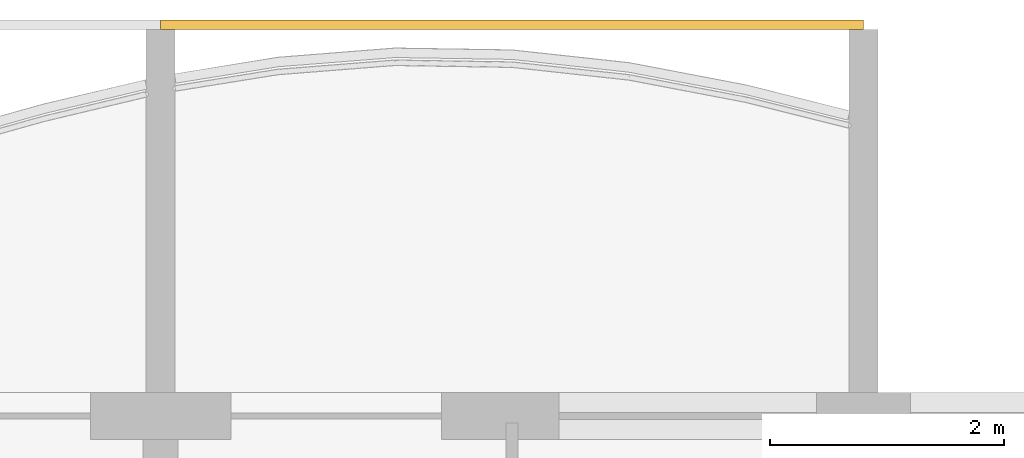
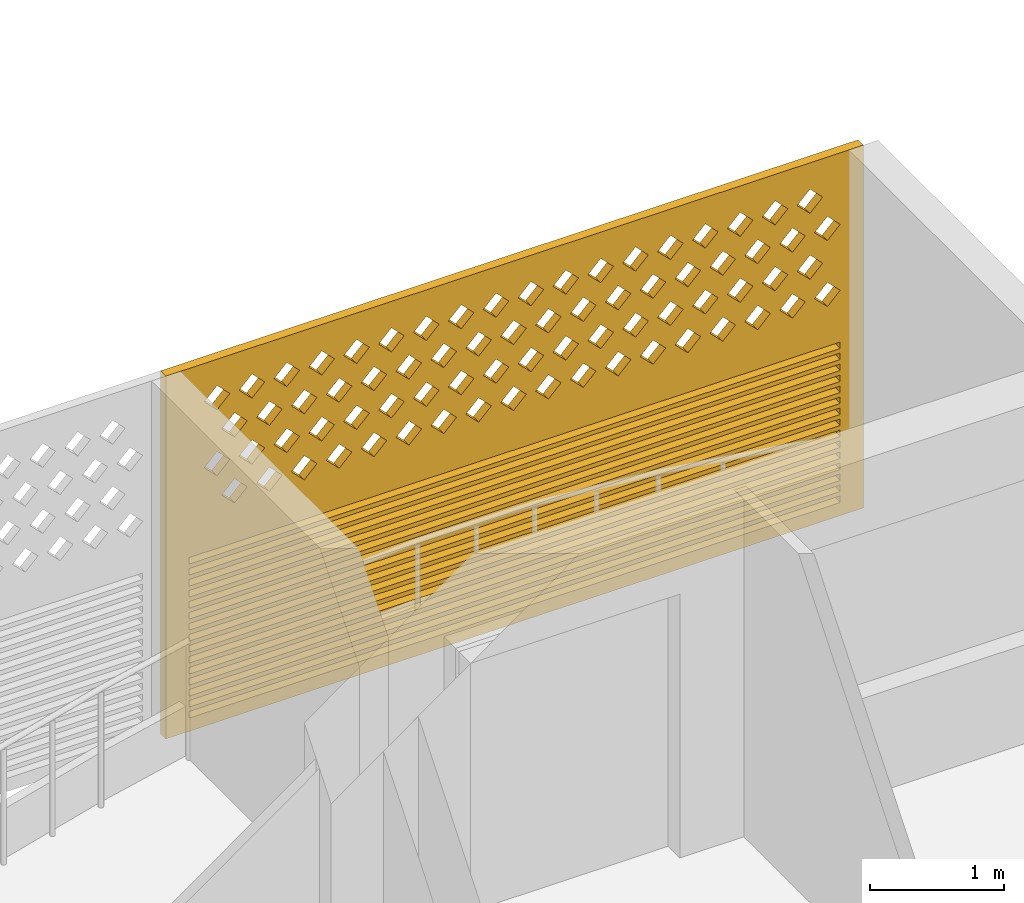
# One storey, part 25 of 31: 1 covering.
"""IFC4 building model written with IfcOpenShell, lengths in metres."""

from ifc_helpers import new_model, si_unit, direction, frame, origin, place, context, subcontext, project, spatial, polyline, outline, extrude, source, transform, mapped, material, material_profile, profile_set, type_object, element, save


model = new_model("IFC4")

# Units and contexts
model_context = context("Model", 3, precision=1e-05, world=origin(), true_north=direction((0.0, 1.0)))
body_context = subcontext(model_context, "Body", "Model", "MODEL_VIEW")
ifc_project = project(units=[si_unit("LENGTHUNIT", "METRE"), si_unit("AREAUNIT", "SQUARE_METRE"), si_unit("VOLUMEUNIT", "CUBIC_METRE"), si_unit("PLANEANGLEUNIT", "RADIAN"), si_unit("MASSUNIT", "GRAM", prefix="KILO")], contexts=[model_context])

# Site, building, storey
site_placement = place(None, origin())
site = spatial("IfcSite", under=ifc_project, at=site_placement, CompositionType="ELEMENT")
building_placement = place(site_placement, origin())
building = spatial("IfcBuilding", under=site, at=building_placement, Name="Poui Terraces", CompositionType="ELEMENT")
storey_placement = place(building_placement, frame((0.0, 0.0, 145.5)))
storey = spatial("IfcBuildingStorey", under=building, at=storey_placement, Name="L40", CompositionType="ELEMENT", Elevation=145.5)

# Covering
ifc_material = material(Name="Terracotta screen", Category="masonry")
ifc_material_profile = material_profile(ifc_material, outline(polyline([(-3.0, -1.64990234375), (3.0, -1.64990234375), (3.0, 1.64990234375), (-3.0, 1.64990234375), (-3.0, -1.64990234375)]), holes=[polyline([(-2.800048828125, 0.39990234375), (-2.68994140625, 0.2900390625), (-2.580078125, 0.39990234375), (-2.68994140625, 0.510009765625), (-2.800048828125, 0.39990234375)]), polyline([(-2.5, 0.39990234375), (-2.389892578125, 0.2900390625), (-2.280029296875, 0.39990234375), (-2.389892578125, 0.510009765625), (-2.5, 0.39990234375)]), polyline([(-2.199951171875, 0.39990234375), (-2.090087890625, 0.2900390625), (-1.97998046875, 0.39990234375), (-2.090087890625, 0.510009765625), (-2.199951171875, 0.39990234375)]), polyline([(-1.89990234375, 0.39990234375), (-1.7900390625, 0.2900390625), (-1.679931640625, 0.39990234375), (-1.7900390625, 0.510009765625), (-1.89990234375, 0.39990234375)]), polyline([(-1.60009765625, 0.39990234375), (-1.489990234375, 0.2900390625), (-1.3798828125, 0.39990234375), (-1.489990234375, 0.510009765625), (-1.60009765625, 0.39990234375)]), polyline([(-1.300048828125, 0.39990234375), (-1.18994140625, 0.2900390625), (-1.080078125, 0.39990234375), (-1.18994140625, 0.510009765625), (-1.300048828125, 0.39990234375)]), polyline([(-1.0, 0.39990234375), (-0.889892578125, 0.2900390625), (-0.780029296875, 0.39990234375), (-0.889892578125, 0.510009765625), (-1.0, 0.39990234375)]), polyline([(-0.699951171875, 0.39990234375), (-0.590087890625, 0.2900390625), (-0.47998046875, 0.39990234375), (-0.590087890625, 0.510009765625), (-0.699951171875, 0.39990234375)]), polyline([(-0.39990234375, 0.39990234375), (-0.2900390625, 0.2900390625), (-0.179931640625, 0.39990234375), (-0.2900390625, 0.510009765625), (-0.39990234375, 0.39990234375)]), polyline([(-0.10009765625, 0.39990234375), (0.010009765625, 0.2900390625), (0.1201171875, 0.39990234375), (0.010009765625, 0.510009765625), (-0.10009765625, 0.39990234375)]), polyline([(0.199951171875, 0.39990234375), (0.31005859375, 0.2900390625), (0.419921875, 0.39990234375), (0.31005859375, 0.510009765625), (0.199951171875, 0.39990234375)]), polyline([(0.5, 0.39990234375), (0.610107421875, 0.2900390625), (0.719970703125, 0.39990234375), (0.610107421875, 0.510009765625), (0.5, 0.39990234375)]), polyline([(0.800048828125, 0.39990234375), (0.909912109375, 0.2900390625), (1.02001953125, 0.39990234375), (0.909912109375, 0.510009765625), (0.800048828125, 0.39990234375)]), polyline([(1.10009765625, 0.39990234375), (1.2099609375, 0.2900390625), (1.320068359375, 0.39990234375), (1.2099609375, 0.510009765625), (1.10009765625, 0.39990234375)]), polyline([(1.39990234375, 0.39990234375), (1.510009765625, 0.2900390625), (1.6201171875, 0.39990234375), (1.510009765625, 0.510009765625), (1.39990234375, 0.39990234375)]), polyline([(1.699951171875, 0.39990234375), (1.81005859375, 0.2900390625), (1.919921875, 0.39990234375), (1.81005859375, 0.510009765625), (1.699951171875, 0.39990234375)]), polyline([(2.0, 0.39990234375), (2.110107421875, 0.2900390625), (2.219970703125, 0.39990234375), (2.110107421875, 0.510009765625), (2.0, 0.39990234375)]), polyline([(2.300048828125, 0.39990234375), (2.409912109375, 0.2900390625), (2.52001953125, 0.39990234375), (2.409912109375, 0.510009765625), (2.300048828125, 0.39990234375)]), polyline([(-2.64990234375, 0.699951171875), (-2.5400390625, 0.590087890625), (-2.429931640625, 0.699951171875), (-2.5400390625, 0.81005859375), (-2.64990234375, 0.699951171875)]), polyline([(-2.35009765625, 0.699951171875), (-2.239990234375, 0.590087890625), (-2.1298828125, 0.699951171875), (-2.239990234375, 0.81005859375), (-2.35009765625, 0.699951171875)]), polyline([(-2.050048828125, 0.699951171875), (-1.93994140625, 0.590087890625), (-1.830078125, 0.699951171875), (-1.93994140625, 0.81005859375), (-2.050048828125, 0.699951171875)]), polyline([(-1.75, 0.699951171875), (-1.639892578125, 0.590087890625), (-1.530029296875, 0.699951171875), (-1.639892578125, 0.81005859375), (-1.75, 0.699951171875)]), polyline([(-1.449951171875, 0.699951171875), (-1.340087890625, 0.590087890625), (-1.22998046875, 0.699951171875), (-1.340087890625, 0.81005859375), (-1.449951171875, 0.699951171875)]), polyline([(-1.14990234375, 0.699951171875), (-1.0400390625, 0.590087890625), (-0.929931640625, 0.699951171875), (-1.0400390625, 0.81005859375), (-1.14990234375, 0.699951171875)]), polyline([(-0.85009765625, 0.699951171875), (-0.739990234375, 0.590087890625), (-0.6298828125, 0.699951171875), (-0.739990234375, 0.81005859375), (-0.85009765625, 0.699951171875)]), polyline([(-0.550048828125, 0.699951171875), (-0.43994140625, 0.590087890625), (-0.330078125, 0.699951171875), (-0.43994140625, 0.81005859375), (-0.550048828125, 0.699951171875)]), polyline([(-0.25, 0.699951171875), (-0.139892578125, 0.590087890625), (-0.030029296875, 0.699951171875), (-0.139892578125, 0.81005859375), (-0.25, 0.699951171875)]), polyline([(0.050048828125, 0.699951171875), (0.159912109375, 0.590087890625), (0.27001953125, 0.699951171875), (0.159912109375, 0.81005859375), (0.050048828125, 0.699951171875)]), polyline([(0.35009765625, 0.699951171875), (0.4599609375, 0.590087890625), (0.570068359375, 0.699951171875), (0.4599609375, 0.81005859375), (0.35009765625, 0.699951171875)]), polyline([(0.64990234375, 0.699951171875), (0.760009765625, 0.590087890625), (0.8701171875, 0.699951171875), (0.760009765625, 0.81005859375), (0.64990234375, 0.699951171875)]), polyline([(0.949951171875, 0.699951171875), (1.06005859375, 0.590087890625), (1.169921875, 0.699951171875), (1.06005859375, 0.81005859375), (0.949951171875, 0.699951171875)]), polyline([(1.25, 0.699951171875), (1.360107421875, 0.590087890625), (1.469970703125, 0.699951171875), (1.360107421875, 0.81005859375), (1.25, 0.699951171875)]), polyline([(1.550048828125, 0.699951171875), (1.659912109375, 0.590087890625), (1.77001953125, 0.699951171875), (1.659912109375, 0.81005859375), (1.550048828125, 0.699951171875)]), polyline([(1.85009765625, 0.699951171875), (1.9599609375, 0.590087890625), (2.070068359375, 0.699951171875), (1.9599609375, 0.81005859375), (1.85009765625, 0.699951171875)]), polyline([(2.14990234375, 0.699951171875), (2.260009765625, 0.590087890625), (2.3701171875, 0.699951171875), (2.260009765625, 0.81005859375), (2.14990234375, 0.699951171875)]), polyline([(2.449951171875, 0.699951171875), (2.56005859375, 0.590087890625), (2.669921875, 0.699951171875), (2.56005859375, 0.81005859375), (2.449951171875, 0.699951171875)]), polyline([(-2.800048828125, 1.0), (-2.68994140625, 0.889892578125), (-2.580078125, 1.0), (-2.68994140625, 1.110107421875), (-2.800048828125, 1.0)]), polyline([(-2.5, 1.0), (-2.389892578125, 0.889892578125), (-2.280029296875, 1.0), (-2.389892578125, 1.110107421875), (-2.5, 1.0)]), polyline([(-2.199951171875, 1.0), (-2.090087890625, 0.889892578125), (-1.97998046875, 1.0), (-2.090087890625, 1.110107421875), (-2.199951171875, 1.0)]), polyline([(-1.89990234375, 1.0), (-1.7900390625, 0.889892578125), (-1.679931640625, 1.0), (-1.7900390625, 1.110107421875), (-1.89990234375, 1.0)]), polyline([(-1.60009765625, 1.0), (-1.489990234375, 0.889892578125), (-1.3798828125, 1.0), (-1.489990234375, 1.110107421875), (-1.60009765625, 1.0)]), polyline([(-1.300048828125, 1.0), (-1.18994140625, 0.889892578125), (-1.080078125, 1.0), (-1.18994140625, 1.110107421875), (-1.300048828125, 1.0)]), polyline([(-1.0, 1.0), (-0.889892578125, 0.889892578125), (-0.780029296875, 1.0), (-0.889892578125, 1.110107421875), (-1.0, 1.0)]), polyline([(-0.699951171875, 1.0), (-0.590087890625, 0.889892578125), (-0.47998046875, 1.0), (-0.590087890625, 1.110107421875), (-0.699951171875, 1.0)]), polyline([(-0.39990234375, 1.0), (-0.2900390625, 0.889892578125), (-0.179931640625, 1.0), (-0.2900390625, 1.110107421875), (-0.39990234375, 1.0)]), polyline([(-0.10009765625, 1.0), (0.010009765625, 0.889892578125), (0.1201171875, 1.0), (0.010009765625, 1.110107421875), (-0.10009765625, 1.0)]), polyline([(0.199951171875, 1.0), (0.31005859375, 0.889892578125), (0.419921875, 1.0), (0.31005859375, 1.110107421875), (0.199951171875, 1.0)]), polyline([(0.5, 1.0), (0.610107421875, 0.889892578125), (0.719970703125, 1.0), (0.610107421875, 1.110107421875), (0.5, 1.0)]), polyline([(0.800048828125, 1.0), (0.909912109375, 0.889892578125), (1.02001953125, 1.0), (0.909912109375, 1.110107421875), (0.800048828125, 1.0)]), polyline([(1.10009765625, 1.0), (1.2099609375, 0.889892578125), (1.320068359375, 1.0), (1.2099609375, 1.110107421875), (1.10009765625, 1.0)]), polyline([(1.39990234375, 1.0), (1.510009765625, 0.889892578125), (1.6201171875, 1.0), (1.510009765625, 1.110107421875), (1.39990234375, 1.0)]), polyline([(1.699951171875, 1.0), (1.81005859375, 0.889892578125), (1.919921875, 1.0), (1.81005859375, 1.110107421875), (1.699951171875, 1.0)]), polyline([(2.0, 1.0), (2.110107421875, 0.889892578125), (2.219970703125, 1.0), (2.110107421875, 1.110107421875), (2.0, 1.0)]), polyline([(2.300048828125, 1.0), (2.409912109375, 0.889892578125), (2.52001953125, 1.0), (2.409912109375, 1.110107421875), (2.300048828125, 1.0)]), polyline([(-2.64990234375, 1.300048828125), (-2.5400390625, 1.18994140625), (-2.429931640625, 1.300048828125), (-2.5400390625, 1.409912109375), (-2.64990234375, 1.300048828125)]), polyline([(-2.35009765625, 1.300048828125), (-2.239990234375, 1.18994140625), (-2.1298828125, 1.300048828125), (-2.239990234375, 1.409912109375), (-2.35009765625, 1.300048828125)]), polyline([(-2.050048828125, 1.300048828125), (-1.93994140625, 1.18994140625), (-1.830078125, 1.300048828125), (-1.93994140625, 1.409912109375), (-2.050048828125, 1.300048828125)]), polyline([(-1.75, 1.300048828125), (-1.639892578125, 1.18994140625), (-1.530029296875, 1.300048828125), (-1.639892578125, 1.409912109375), (-1.75, 1.300048828125)]), polyline([(-1.449951171875, 1.300048828125), (-1.340087890625, 1.18994140625), (-1.22998046875, 1.300048828125), (-1.340087890625, 1.409912109375), (-1.449951171875, 1.300048828125)]), polyline([(-1.14990234375, 1.300048828125), (-1.0400390625, 1.18994140625), (-0.929931640625, 1.300048828125), (-1.0400390625, 1.409912109375), (-1.14990234375, 1.300048828125)]), polyline([(-0.85009765625, 1.300048828125), (-0.739990234375, 1.18994140625), (-0.6298828125, 1.300048828125), (-0.739990234375, 1.409912109375), (-0.85009765625, 1.300048828125)]), polyline([(-0.550048828125, 1.300048828125), (-0.43994140625, 1.18994140625), (-0.330078125, 1.300048828125), (-0.43994140625, 1.409912109375), (-0.550048828125, 1.300048828125)]), polyline([(-0.25, 1.300048828125), (-0.139892578125, 1.18994140625), (-0.030029296875, 1.300048828125), (-0.139892578125, 1.409912109375), (-0.25, 1.300048828125)]), polyline([(0.050048828125, 1.300048828125), (0.159912109375, 1.18994140625), (0.27001953125, 1.300048828125), (0.159912109375, 1.409912109375), (0.050048828125, 1.300048828125)]), polyline([(0.35009765625, 1.300048828125), (0.4599609375, 1.18994140625), (0.570068359375, 1.300048828125), (0.4599609375, 1.409912109375), (0.35009765625, 1.300048828125)]), polyline([(0.64990234375, 1.300048828125), (0.760009765625, 1.18994140625), (0.8701171875, 1.300048828125), (0.760009765625, 1.409912109375), (0.64990234375, 1.300048828125)]), polyline([(0.949951171875, 1.300048828125), (1.06005859375, 1.18994140625), (1.169921875, 1.300048828125), (1.06005859375, 1.409912109375), (0.949951171875, 1.300048828125)]), polyline([(1.25, 1.300048828125), (1.360107421875, 1.18994140625), (1.469970703125, 1.300048828125), (1.360107421875, 1.409912109375), (1.25, 1.300048828125)]), polyline([(1.550048828125, 1.300048828125), (1.659912109375, 1.18994140625), (1.77001953125, 1.300048828125), (1.659912109375, 1.409912109375), (1.550048828125, 1.300048828125)]), polyline([(1.85009765625, 1.300048828125), (1.9599609375, 1.18994140625), (2.070068359375, 1.300048828125), (1.9599609375, 1.409912109375), (1.85009765625, 1.300048828125)]), polyline([(2.14990234375, 1.300048828125), (2.260009765625, 1.18994140625), (2.3701171875, 1.300048828125), (2.260009765625, 1.409912109375), (2.14990234375, 1.300048828125)]), polyline([(2.449951171875, 1.300048828125), (2.56005859375, 1.18994140625), (2.669921875, 1.300048828125), (2.56005859375, 1.409912109375), (2.449951171875, 1.300048828125)]), polyline([(-2.800048828125, -1.530029296875), (2.800048828125, -1.530029296875), (2.800048828125, -1.469970703125), (-2.800048828125, -1.469970703125), (-2.800048828125, -1.530029296875)]), polyline([(-2.800048828125, -1.429931640625), (2.800048828125, -1.429931640625), (2.800048828125, -1.3701171875), (-2.800048828125, -1.3701171875), (-2.800048828125, -1.429931640625)]), polyline([(-2.800048828125, -1.330078125), (2.800048828125, -1.330078125), (2.800048828125, -1.27001953125), (-2.800048828125, -1.27001953125), (-2.800048828125, -1.330078125)]), polyline([(-2.800048828125, -1.22998046875), (2.800048828125, -1.22998046875), (2.800048828125, -1.169921875), (-2.800048828125, -1.169921875), (-2.800048828125, -1.22998046875)]), polyline([(-2.800048828125, -1.1298828125), (2.800048828125, -1.1298828125), (2.800048828125, -1.070068359375), (-2.800048828125, -1.070068359375), (-2.800048828125, -1.1298828125)]), polyline([(-2.800048828125, -1.030029296875), (2.800048828125, -1.030029296875), (2.800048828125, -0.969970703125), (-2.800048828125, -0.969970703125), (-2.800048828125, -1.030029296875)]), polyline([(-2.800048828125, -0.929931640625), (2.800048828125, -0.929931640625), (2.800048828125, -0.8701171875), (-2.800048828125, -0.8701171875), (-2.800048828125, -0.929931640625)]), polyline([(-2.800048828125, -0.830078125), (2.800048828125, -0.830078125), (2.800048828125, -0.77001953125), (-2.800048828125, -0.77001953125), (-2.800048828125, -0.830078125)]), polyline([(-2.800048828125, -0.72998046875), (2.800048828125, -0.72998046875), (2.800048828125, -0.669921875), (-2.800048828125, -0.669921875), (-2.800048828125, -0.72998046875)]), polyline([(-2.800048828125, -0.6298828125), (2.800048828125, -0.6298828125), (2.800048828125, -0.570068359375), (-2.800048828125, -0.570068359375), (-2.800048828125, -0.6298828125)]), polyline([(-2.800048828125, -0.530029296875), (2.800048828125, -0.530029296875), (2.800048828125, -0.469970703125), (-2.800048828125, -0.469970703125), (-2.800048828125, -0.530029296875)]), polyline([(-2.800048828125, -0.429931640625), (2.800048828125, -0.429931640625), (2.800048828125, -0.3701171875), (-2.800048828125, -0.3701171875), (-2.800048828125, -0.429931640625)]), polyline([(-2.800048828125, -0.330078125), (2.800048828125, -0.330078125), (2.800048828125, -0.27001953125), (-2.800048828125, -0.27001953125), (-2.800048828125, -0.330078125)]), polyline([(-2.800048828125, -0.22998046875), (2.800048828125, -0.22998046875), (2.800048828125, -0.169921875), (-2.800048828125, -0.169921875), (-2.800048828125, -0.22998046875)]), polyline([(-2.800048828125, -0.1298828125), (2.800048828125, -0.1298828125), (2.800048828125, -0.070068359375), (-2.800048828125, -0.070068359375), (-2.800048828125, -0.1298828125)])]), Name="TERRACOTTA SCREEN AND JALOUSIE LOUVRE 6000X3300")
ifc_profile_set = profile_set([ifc_material_profile], Name="Terracotta screen")
covering_type = type_object("IfcCoveringType", Name="TERRACOTTA SCREEN AND JALOUSIE LOUVRE 6000X3300", PredefinedType="CLADDING", material=ifc_profile_set)
shared_shape = source(origin(), body_context, "Body", "SweptSolid", [
    extrude(outline(polyline([(-3.0, -1.64990234375), (3.0, -1.64990234375), (3.0, 1.64990234375), (-3.0, 1.64990234375), (-3.0, -1.64990234375)]), holes=[polyline([(-2.800048828125, 0.39990234375), (-2.68994140625, 0.2900390625), (-2.580078125, 0.39990234375), (-2.68994140625, 0.510009765625), (-2.800048828125, 0.39990234375)]), polyline([(-2.5, 0.39990234375), (-2.389892578125, 0.2900390625), (-2.280029296875, 0.39990234375), (-2.389892578125, 0.510009765625), (-2.5, 0.39990234375)]), polyline([(-2.199951171875, 0.39990234375), (-2.090087890625, 0.2900390625), (-1.97998046875, 0.39990234375), (-2.090087890625, 0.510009765625), (-2.199951171875, 0.39990234375)]), polyline([(-1.89990234375, 0.39990234375), (-1.7900390625, 0.2900390625), (-1.679931640625, 0.39990234375), (-1.7900390625, 0.510009765625), (-1.89990234375, 0.39990234375)]), polyline([(-1.60009765625, 0.39990234375), (-1.489990234375, 0.2900390625), (-1.3798828125, 0.39990234375), (-1.489990234375, 0.510009765625), (-1.60009765625, 0.39990234375)]), polyline([(-1.300048828125, 0.39990234375), (-1.18994140625, 0.2900390625), (-1.080078125, 0.39990234375), (-1.18994140625, 0.510009765625), (-1.300048828125, 0.39990234375)]), polyline([(-1.0, 0.39990234375), (-0.889892578125, 0.2900390625), (-0.780029296875, 0.39990234375), (-0.889892578125, 0.510009765625), (-1.0, 0.39990234375)]), polyline([(-0.699951171875, 0.39990234375), (-0.590087890625, 0.2900390625), (-0.47998046875, 0.39990234375), (-0.590087890625, 0.510009765625), (-0.699951171875, 0.39990234375)]), polyline([(-0.39990234375, 0.39990234375), (-0.2900390625, 0.2900390625), (-0.179931640625, 0.39990234375), (-0.2900390625, 0.510009765625), (-0.39990234375, 0.39990234375)]), polyline([(-0.10009765625, 0.39990234375), (0.010009765625, 0.2900390625), (0.1201171875, 0.39990234375), (0.010009765625, 0.510009765625), (-0.10009765625, 0.39990234375)]), polyline([(0.199951171875, 0.39990234375), (0.31005859375, 0.2900390625), (0.419921875, 0.39990234375), (0.31005859375, 0.510009765625), (0.199951171875, 0.39990234375)]), polyline([(0.5, 0.39990234375), (0.610107421875, 0.2900390625), (0.719970703125, 0.39990234375), (0.610107421875, 0.510009765625), (0.5, 0.39990234375)]), polyline([(0.800048828125, 0.39990234375), (0.909912109375, 0.2900390625), (1.02001953125, 0.39990234375), (0.909912109375, 0.510009765625), (0.800048828125, 0.39990234375)]), polyline([(1.10009765625, 0.39990234375), (1.2099609375, 0.2900390625), (1.320068359375, 0.39990234375), (1.2099609375, 0.510009765625), (1.10009765625, 0.39990234375)]), polyline([(1.39990234375, 0.39990234375), (1.510009765625, 0.2900390625), (1.6201171875, 0.39990234375), (1.510009765625, 0.510009765625), (1.39990234375, 0.39990234375)]), polyline([(1.699951171875, 0.39990234375), (1.81005859375, 0.2900390625), (1.919921875, 0.39990234375), (1.81005859375, 0.510009765625), (1.699951171875, 0.39990234375)]), polyline([(2.0, 0.39990234375), (2.110107421875, 0.2900390625), (2.219970703125, 0.39990234375), (2.110107421875, 0.510009765625), (2.0, 0.39990234375)]), polyline([(2.300048828125, 0.39990234375), (2.409912109375, 0.2900390625), (2.52001953125, 0.39990234375), (2.409912109375, 0.510009765625), (2.300048828125, 0.39990234375)]), polyline([(-2.64990234375, 0.699951171875), (-2.5400390625, 0.590087890625), (-2.429931640625, 0.699951171875), (-2.5400390625, 0.81005859375), (-2.64990234375, 0.699951171875)]), polyline([(-2.35009765625, 0.699951171875), (-2.239990234375, 0.590087890625), (-2.1298828125, 0.699951171875), (-2.239990234375, 0.81005859375), (-2.35009765625, 0.699951171875)]), polyline([(-2.050048828125, 0.699951171875), (-1.93994140625, 0.590087890625), (-1.830078125, 0.699951171875), (-1.93994140625, 0.81005859375), (-2.050048828125, 0.699951171875)]), polyline([(-1.75, 0.699951171875), (-1.639892578125, 0.590087890625), (-1.530029296875, 0.699951171875), (-1.639892578125, 0.81005859375), (-1.75, 0.699951171875)]), polyline([(-1.449951171875, 0.699951171875), (-1.340087890625, 0.590087890625), (-1.22998046875, 0.699951171875), (-1.340087890625, 0.81005859375), (-1.449951171875, 0.699951171875)]), polyline([(-1.14990234375, 0.699951171875), (-1.0400390625, 0.590087890625), (-0.929931640625, 0.699951171875), (-1.0400390625, 0.81005859375), (-1.14990234375, 0.699951171875)]), polyline([(-0.85009765625, 0.699951171875), (-0.739990234375, 0.590087890625), (-0.6298828125, 0.699951171875), (-0.739990234375, 0.81005859375), (-0.85009765625, 0.699951171875)]), polyline([(-0.550048828125, 0.699951171875), (-0.43994140625, 0.590087890625), (-0.330078125, 0.699951171875), (-0.43994140625, 0.81005859375), (-0.550048828125, 0.699951171875)]), polyline([(-0.25, 0.699951171875), (-0.139892578125, 0.590087890625), (-0.030029296875, 0.699951171875), (-0.139892578125, 0.81005859375), (-0.25, 0.699951171875)]), polyline([(0.050048828125, 0.699951171875), (0.159912109375, 0.590087890625), (0.27001953125, 0.699951171875), (0.159912109375, 0.81005859375), (0.050048828125, 0.699951171875)]), polyline([(0.35009765625, 0.699951171875), (0.4599609375, 0.590087890625), (0.570068359375, 0.699951171875), (0.4599609375, 0.81005859375), (0.35009765625, 0.699951171875)]), polyline([(0.64990234375, 0.699951171875), (0.760009765625, 0.590087890625), (0.8701171875, 0.699951171875), (0.760009765625, 0.81005859375), (0.64990234375, 0.699951171875)]), polyline([(0.949951171875, 0.699951171875), (1.06005859375, 0.590087890625), (1.169921875, 0.699951171875), (1.06005859375, 0.81005859375), (0.949951171875, 0.699951171875)]), polyline([(1.25, 0.699951171875), (1.360107421875, 0.590087890625), (1.469970703125, 0.699951171875), (1.360107421875, 0.81005859375), (1.25, 0.699951171875)]), polyline([(1.550048828125, 0.699951171875), (1.659912109375, 0.590087890625), (1.77001953125, 0.699951171875), (1.659912109375, 0.81005859375), (1.550048828125, 0.699951171875)]), polyline([(1.85009765625, 0.699951171875), (1.9599609375, 0.590087890625), (2.070068359375, 0.699951171875), (1.9599609375, 0.81005859375), (1.85009765625, 0.699951171875)]), polyline([(2.14990234375, 0.699951171875), (2.260009765625, 0.590087890625), (2.3701171875, 0.699951171875), (2.260009765625, 0.81005859375), (2.14990234375, 0.699951171875)]), polyline([(2.449951171875, 0.699951171875), (2.56005859375, 0.590087890625), (2.669921875, 0.699951171875), (2.56005859375, 0.81005859375), (2.449951171875, 0.699951171875)]), polyline([(-2.800048828125, 1.0), (-2.68994140625, 0.889892578125), (-2.580078125, 1.0), (-2.68994140625, 1.110107421875), (-2.800048828125, 1.0)]), polyline([(-2.5, 1.0), (-2.389892578125, 0.889892578125), (-2.280029296875, 1.0), (-2.389892578125, 1.110107421875), (-2.5, 1.0)]), polyline([(-2.199951171875, 1.0), (-2.090087890625, 0.889892578125), (-1.97998046875, 1.0), (-2.090087890625, 1.110107421875), (-2.199951171875, 1.0)]), polyline([(-1.89990234375, 1.0), (-1.7900390625, 0.889892578125), (-1.679931640625, 1.0), (-1.7900390625, 1.110107421875), (-1.89990234375, 1.0)]), polyline([(-1.60009765625, 1.0), (-1.489990234375, 0.889892578125), (-1.3798828125, 1.0), (-1.489990234375, 1.110107421875), (-1.60009765625, 1.0)]), polyline([(-1.300048828125, 1.0), (-1.18994140625, 0.889892578125), (-1.080078125, 1.0), (-1.18994140625, 1.110107421875), (-1.300048828125, 1.0)]), polyline([(-1.0, 1.0), (-0.889892578125, 0.889892578125), (-0.780029296875, 1.0), (-0.889892578125, 1.110107421875), (-1.0, 1.0)]), polyline([(-0.699951171875, 1.0), (-0.590087890625, 0.889892578125), (-0.47998046875, 1.0), (-0.590087890625, 1.110107421875), (-0.699951171875, 1.0)]), polyline([(-0.39990234375, 1.0), (-0.2900390625, 0.889892578125), (-0.179931640625, 1.0), (-0.2900390625, 1.110107421875), (-0.39990234375, 1.0)]), polyline([(-0.10009765625, 1.0), (0.010009765625, 0.889892578125), (0.1201171875, 1.0), (0.010009765625, 1.110107421875), (-0.10009765625, 1.0)]), polyline([(0.199951171875, 1.0), (0.31005859375, 0.889892578125), (0.419921875, 1.0), (0.31005859375, 1.110107421875), (0.199951171875, 1.0)]), polyline([(0.5, 1.0), (0.610107421875, 0.889892578125), (0.719970703125, 1.0), (0.610107421875, 1.110107421875), (0.5, 1.0)]), polyline([(0.800048828125, 1.0), (0.909912109375, 0.889892578125), (1.02001953125, 1.0), (0.909912109375, 1.110107421875), (0.800048828125, 1.0)]), polyline([(1.10009765625, 1.0), (1.2099609375, 0.889892578125), (1.320068359375, 1.0), (1.2099609375, 1.110107421875), (1.10009765625, 1.0)]), polyline([(1.39990234375, 1.0), (1.510009765625, 0.889892578125), (1.6201171875, 1.0), (1.510009765625, 1.110107421875), (1.39990234375, 1.0)]), polyline([(1.699951171875, 1.0), (1.81005859375, 0.889892578125), (1.919921875, 1.0), (1.81005859375, 1.110107421875), (1.699951171875, 1.0)]), polyline([(2.0, 1.0), (2.110107421875, 0.889892578125), (2.219970703125, 1.0), (2.110107421875, 1.110107421875), (2.0, 1.0)]), polyline([(2.300048828125, 1.0), (2.409912109375, 0.889892578125), (2.52001953125, 1.0), (2.409912109375, 1.110107421875), (2.300048828125, 1.0)]), polyline([(-2.64990234375, 1.300048828125), (-2.5400390625, 1.18994140625), (-2.429931640625, 1.300048828125), (-2.5400390625, 1.409912109375), (-2.64990234375, 1.300048828125)]), polyline([(-2.35009765625, 1.300048828125), (-2.239990234375, 1.18994140625), (-2.1298828125, 1.300048828125), (-2.239990234375, 1.409912109375), (-2.35009765625, 1.300048828125)]), polyline([(-2.050048828125, 1.300048828125), (-1.93994140625, 1.18994140625), (-1.830078125, 1.300048828125), (-1.93994140625, 1.409912109375), (-2.050048828125, 1.300048828125)]), polyline([(-1.75, 1.300048828125), (-1.639892578125, 1.18994140625), (-1.530029296875, 1.300048828125), (-1.639892578125, 1.409912109375), (-1.75, 1.300048828125)]), polyline([(-1.449951171875, 1.300048828125), (-1.340087890625, 1.18994140625), (-1.22998046875, 1.300048828125), (-1.340087890625, 1.409912109375), (-1.449951171875, 1.300048828125)]), polyline([(-1.14990234375, 1.300048828125), (-1.0400390625, 1.18994140625), (-0.929931640625, 1.300048828125), (-1.0400390625, 1.409912109375), (-1.14990234375, 1.300048828125)]), polyline([(-0.85009765625, 1.300048828125), (-0.739990234375, 1.18994140625), (-0.6298828125, 1.300048828125), (-0.739990234375, 1.409912109375), (-0.85009765625, 1.300048828125)]), polyline([(-0.550048828125, 1.300048828125), (-0.43994140625, 1.18994140625), (-0.330078125, 1.300048828125), (-0.43994140625, 1.409912109375), (-0.550048828125, 1.300048828125)]), polyline([(-0.25, 1.300048828125), (-0.139892578125, 1.18994140625), (-0.030029296875, 1.300048828125), (-0.139892578125, 1.409912109375), (-0.25, 1.300048828125)]), polyline([(0.050048828125, 1.300048828125), (0.159912109375, 1.18994140625), (0.27001953125, 1.300048828125), (0.159912109375, 1.409912109375), (0.050048828125, 1.300048828125)]), polyline([(0.35009765625, 1.300048828125), (0.4599609375, 1.18994140625), (0.570068359375, 1.300048828125), (0.4599609375, 1.409912109375), (0.35009765625, 1.300048828125)]), polyline([(0.64990234375, 1.300048828125), (0.760009765625, 1.18994140625), (0.8701171875, 1.300048828125), (0.760009765625, 1.409912109375), (0.64990234375, 1.300048828125)]), polyline([(0.949951171875, 1.300048828125), (1.06005859375, 1.18994140625), (1.169921875, 1.300048828125), (1.06005859375, 1.409912109375), (0.949951171875, 1.300048828125)]), polyline([(1.25, 1.300048828125), (1.360107421875, 1.18994140625), (1.469970703125, 1.300048828125), (1.360107421875, 1.409912109375), (1.25, 1.300048828125)]), polyline([(1.550048828125, 1.300048828125), (1.659912109375, 1.18994140625), (1.77001953125, 1.300048828125), (1.659912109375, 1.409912109375), (1.550048828125, 1.300048828125)]), polyline([(1.85009765625, 1.300048828125), (1.9599609375, 1.18994140625), (2.070068359375, 1.300048828125), (1.9599609375, 1.409912109375), (1.85009765625, 1.300048828125)]), polyline([(2.14990234375, 1.300048828125), (2.260009765625, 1.18994140625), (2.3701171875, 1.300048828125), (2.260009765625, 1.409912109375), (2.14990234375, 1.300048828125)]), polyline([(2.449951171875, 1.300048828125), (2.56005859375, 1.18994140625), (2.669921875, 1.300048828125), (2.56005859375, 1.409912109375), (2.449951171875, 1.300048828125)]), polyline([(-2.800048828125, -1.530029296875), (2.800048828125, -1.530029296875), (2.800048828125, -1.469970703125), (-2.800048828125, -1.469970703125), (-2.800048828125, -1.530029296875)]), polyline([(-2.800048828125, -1.429931640625), (2.800048828125, -1.429931640625), (2.800048828125, -1.3701171875), (-2.800048828125, -1.3701171875), (-2.800048828125, -1.429931640625)]), polyline([(-2.800048828125, -1.330078125), (2.800048828125, -1.330078125), (2.800048828125, -1.27001953125), (-2.800048828125, -1.27001953125), (-2.800048828125, -1.330078125)]), polyline([(-2.800048828125, -1.22998046875), (2.800048828125, -1.22998046875), (2.800048828125, -1.169921875), (-2.800048828125, -1.169921875), (-2.800048828125, -1.22998046875)]), polyline([(-2.800048828125, -1.1298828125), (2.800048828125, -1.1298828125), (2.800048828125, -1.070068359375), (-2.800048828125, -1.070068359375), (-2.800048828125, -1.1298828125)]), polyline([(-2.800048828125, -1.030029296875), (2.800048828125, -1.030029296875), (2.800048828125, -0.969970703125), (-2.800048828125, -0.969970703125), (-2.800048828125, -1.030029296875)]), polyline([(-2.800048828125, -0.929931640625), (2.800048828125, -0.929931640625), (2.800048828125, -0.8701171875), (-2.800048828125, -0.8701171875), (-2.800048828125, -0.929931640625)]), polyline([(-2.800048828125, -0.830078125), (2.800048828125, -0.830078125), (2.800048828125, -0.77001953125), (-2.800048828125, -0.77001953125), (-2.800048828125, -0.830078125)]), polyline([(-2.800048828125, -0.72998046875), (2.800048828125, -0.72998046875), (2.800048828125, -0.669921875), (-2.800048828125, -0.669921875), (-2.800048828125, -0.72998046875)]), polyline([(-2.800048828125, -0.6298828125), (2.800048828125, -0.6298828125), (2.800048828125, -0.570068359375), (-2.800048828125, -0.570068359375), (-2.800048828125, -0.6298828125)]), polyline([(-2.800048828125, -0.530029296875), (2.800048828125, -0.530029296875), (2.800048828125, -0.469970703125), (-2.800048828125, -0.469970703125), (-2.800048828125, -0.530029296875)]), polyline([(-2.800048828125, -0.429931640625), (2.800048828125, -0.429931640625), (2.800048828125, -0.3701171875), (-2.800048828125, -0.3701171875), (-2.800048828125, -0.429931640625)]), polyline([(-2.800048828125, -0.330078125), (2.800048828125, -0.330078125), (2.800048828125, -0.27001953125), (-2.800048828125, -0.27001953125), (-2.800048828125, -0.330078125)]), polyline([(-2.800048828125, -0.22998046875), (2.800048828125, -0.22998046875), (2.800048828125, -0.169921875), (-2.800048828125, -0.169921875), (-2.800048828125, -0.22998046875)]), polyline([(-2.800048828125, -0.1298828125), (2.800048828125, -0.1298828125), (2.800048828125, -0.070068359375), (-2.800048828125, -0.070068359375), (-2.800048828125, -0.1298828125)])]), origin(), (0.0, 0.0, 1.0), 0.080078125),
])
covering_placement = place(storey_placement, frame((57.0, 45.699951171875, 1.449951171875), z_axis=(0.0, 1.0, 0.0), x_axis=(-1.0, 0.0, 0.0)))
element("IfcCovering", 1, at=covering_placement, inside=storey, type_object=covering_type, Name="SOLAR SCREEN AND JALOUSIE LOUVRE", PredefinedType="CLADDING", context=body_context, shape_type="MappedRepresentation", body=[
    mapped(shared_shape, transform((0.0, 0.0, 0.0))),
])

save(model, "model.ifc")
